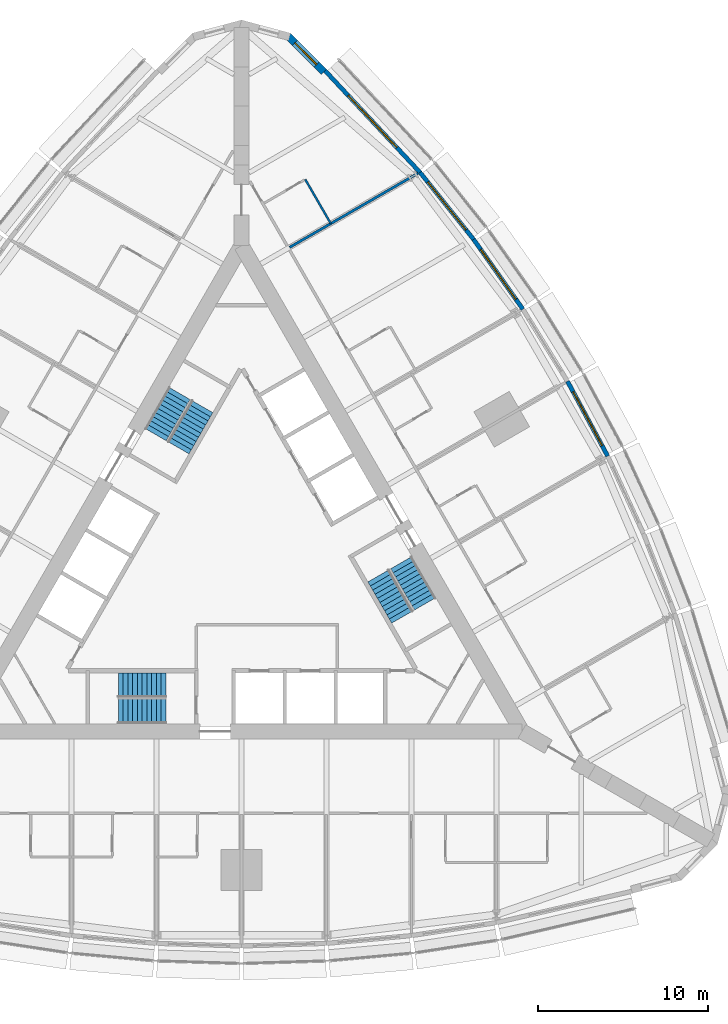
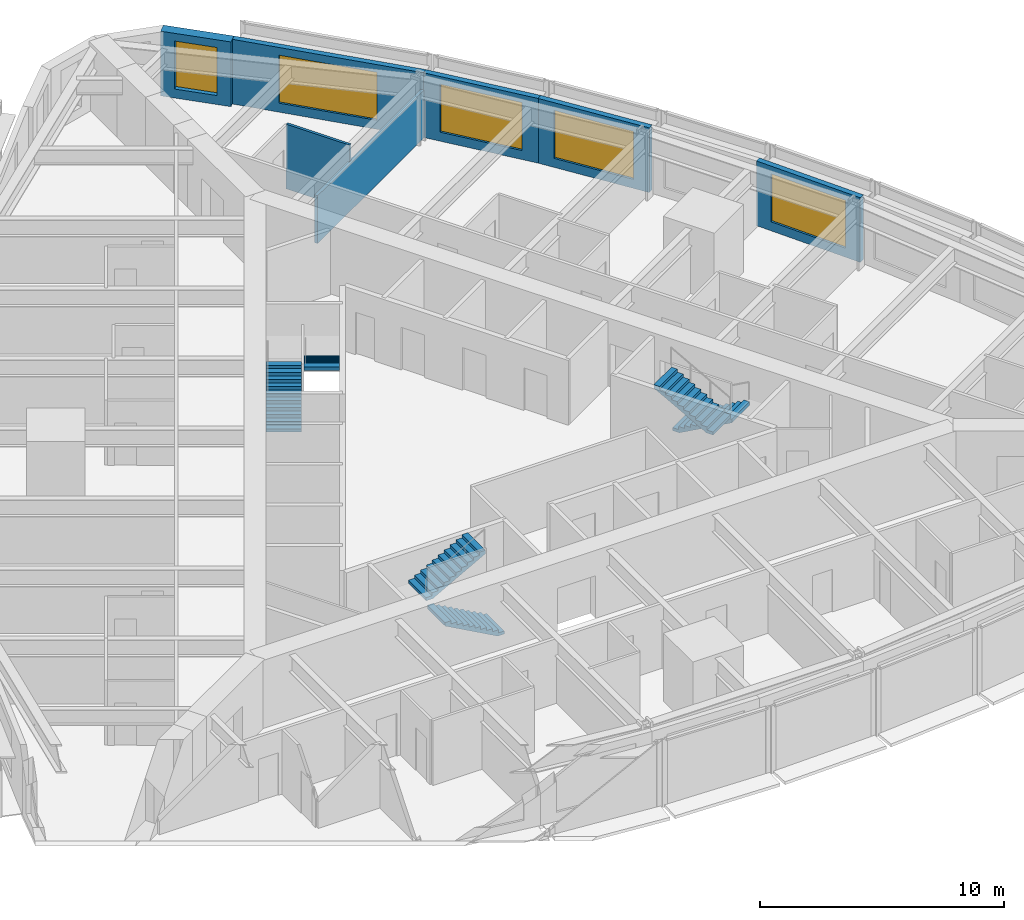
# One storey, part 13 of 14: 7 walls, 6 stair flights, 5 windows, 5 openings, 3 elements without a shape of their own.
"""IFC4 building model written with IfcOpenShell, lengths in metres."""

from ifc_helpers import new_model, si_unit, direction, frame, frame_2d, origin, place, context, subcontext, project, spatial, polyline, rectangle, outline, extrude, material, layer, layer_set, type_object, element, fill, aggregate, save


model = new_model("IFC4")

# Units and contexts
model_context = context("Model", 3, precision=1e-05, world=origin(), true_north=direction((0.0, 1.0)))
body_context = subcontext(model_context, "Body", "Model", "MODEL_VIEW")
ifc_project = project(units=[si_unit("LENGTHUNIT", "METRE"), si_unit("AREAUNIT", "SQUARE_METRE"), si_unit("VOLUMEUNIT", "CUBIC_METRE"), si_unit("PLANEANGLEUNIT", "RADIAN"), si_unit("MASSUNIT", "GRAM", prefix="KILO")], contexts=[model_context])

# Site, building, storey
site_placement = place(None, origin())
site = spatial("IfcSite", under=ifc_project, at=site_placement, CompositionType="ELEMENT")
building_placement = place(site_placement, origin())
building = spatial("IfcBuilding", under=site, at=building_placement, Name="Trikona Tower", CompositionType="ELEMENT")
storey_placement = place(building_placement, frame((0.0, 0.0, 59.10009765625)))
storey = spatial("IfcBuildingStorey", under=building, at=storey_placement, Name="L14", CompositionType="ELEMENT", Elevation=59.10009765625)

# Wall
ifc_material_1 = material(Name="Metal stud and cement board", Category="gypsum")
ifc_layer_1 = layer(ifc_material_1, 0.1201171875)
ifc_layer_set_1 = layer_set([ifc_layer_1], Name="Bathroom wall 120")
wall_type_1 = type_object("IfcWallType", Name="Bathroom wall 120", PredefinedType="PLUMBINGWALL", material=ifc_layer_set_1)
wall_1_placement = place(storey_placement, frame((5.25341796875, 20.353515625, 0.0), z_axis=(0.0, 0.0, 1.0), x_axis=(-0.499990139034, 0.866031096941, 0.0)))
element("IfcWall", 1, at=wall_1_placement, inside=storey, type_object=wall_type_1, Name="Bathroom wall 1412", PredefinedType="PLUMBINGWALL", context=body_context, shape_type="SweptSolid", body=[
    extrude(rectangle(XDim=3.0, YDim=0.1201171875, at=frame_2d((1.5, 0.0))), origin(), (0.0, 0.0, 1.0), 3.23486328125),
])

# Wall, opening, window
ifc_material_2 = material(Name="Brick-faced precast concrete", Category="masonry")
ifc_layer_2 = layer(ifc_material_2, 0.449951171875)
ifc_layer_set_2 = layer_set([ifc_layer_2], Name="Brick-faced corner wall 450")
wall_type_2 = type_object("IfcWallType", Name="Brick-faced corner wall 450", PredefinedType="SOLIDWALL", material=ifc_layer_set_2)
wall_2_placement = place(storey_placement, frame((4.8408203125, 29.285888671875, 0.0), z_axis=(0.0, 0.0, 1.0), x_axis=(-0.707106781187, 0.707106781187, 0.0)))
wall_2 = element("IfcWall", 2, at=wall_2_placement, inside=storey, type_object=wall_type_2, Name="External wall L14-20", PredefinedType="SOLIDWALL", context=body_context, shape_type="SweptSolid", body=[
    extrude(rectangle(XDim=2.98828125, YDim=0.449951171875, at=frame_2d((1.494140625, 0.0))), origin(), (0.0, 0.0, 1.0), 3.23486328125),
])
opening_1_placement = place(wall_2_placement, frame((0.59423828125, 0.0, 0.449951171875)))
opening_1 = element("IfcOpeningElement", 3, at=opening_1_placement, cuts=wall_2, Name="Opening W1824", PredefinedType="OPENING", context=body_context, shape_type="SweptSolid", body=[
    extrude(rectangle(XDim=1.800048828125, YDim=2.39990234375, at=frame_2d((0.89990234375, 1.199951171875))), frame((0.0, 0.23486328125, 0.0), z_axis=(0.0, -1.0, 0.0), x_axis=(1.0, 0.0, 0.0)), (0.0, 0.0, 1.0), 0.469970703125),
])
ifc_material_3 = material(Name="Aluminium-framed double glazing", Category="aluminium")
window_type_1 = type_object("IfcWindowType", Name="Window 1800x2400", PartitioningType="SINGLE_PANEL", PredefinedType="WINDOW", material=ifc_material_3)
window_1_placement = place(opening_1_placement, origin())
window_1 = element("IfcWindow", 4, at=window_1_placement, inside=storey, type_object=window_type_1, Name="Window 1412", OverallHeight=2.39990234375, OverallWidth=1.800048828125, PartitioningType="SINGLE_PANEL", PredefinedType="WINDOW", context=body_context, shape_type="SweptSolid", body=[
    extrude(rectangle(XDim=1.800048828125, YDim=2.39990234375, at=frame_2d((0.89990234375, 1.199951171875))), frame((0.0, 0.030029296875, 0.0), z_axis=(0.0, -1.0, 0.0), x_axis=(1.0, 0.0, 0.0)), (0.0, 0.0, 1.0), 0.06005859375),
])
fill(opening_1, window_1)

ifc_material_4 = material(Name="Insulated precast concrete spandrel panel", Category="concrete")
ifc_layer_3 = layer(ifc_material_4, 0.25)
ifc_layer_set_3 = layer_set([ifc_layer_3], Name="Inner skin wall 250")
wall_type_3 = type_object("IfcWallType", Name="Inner skin wall 250", PredefinedType="STANDARD", material=ifc_layer_set_3)
wall_3_placement = place(storey_placement, frame((21.546630859375, 6.6708984375, 0.0), z_axis=(0.0, 0.0, 1.0), x_axis=(-0.473412820489, 0.880840678782, 0.0)))
wall_3 = element("IfcWall", 5, at=wall_3_placement, inside=storey, type_object=wall_type_3, Name="External wall L14-15", PredefinedType="STANDARD", context=body_context, shape_type="SweptSolid", body=[
    extrude(rectangle(XDim=5.00244140625, YDim=0.25, at=frame_2d((2.501220703125, 0.0))), origin(), (0.0, 0.0, 1.0), 3.23486328125),
])
opening_2_placement = place(wall_3_placement, frame((0.701171875, 0.0, 0.449951171875)))
opening_2 = element("IfcOpeningElement", 6, at=opening_2_placement, cuts=wall_3, Name="Opening W3624", PredefinedType="OPENING", context=body_context, shape_type="SweptSolid", body=[
    extrude(rectangle(XDim=3.60009765625, YDim=2.39990234375, at=frame_2d((1.800048828125, 1.199951171875))), frame((0.0, 0.135009765625, 0.0), z_axis=(0.0, -1.0, 0.0), x_axis=(1.0, 0.0, 0.0)), (0.0, 0.0, 1.0), 0.27001953125),
])
ifc_material_5 = material(Name="Aluminium-framed double glazing", Category="aluminium")
window_type_2 = type_object("IfcWindowType", Name="Window 3600x2400", PartitioningType="SINGLE_PANEL", PredefinedType="WINDOW", material=ifc_material_5)
window_2_placement = place(opening_2_placement, origin())
window_2 = element("IfcWindow", 7, at=window_2_placement, inside=storey, type_object=window_type_2, Name="Window 1409", OverallHeight=2.39990234375, OverallWidth=3.60009765625, PartitioningType="SINGLE_PANEL", PredefinedType="WINDOW", context=body_context, shape_type="SweptSolid", body=[
    extrude(rectangle(XDim=3.60009765625, YDim=2.39990234375, at=frame_2d((1.800048828125, 1.199951171875))), frame((0.0, 0.030029296875, 0.0), z_axis=(0.0, -1.0, 0.0), x_axis=(1.0, 0.0, 0.0)), (0.0, 0.0, 1.0), 0.06005859375),
])
fill(opening_2, window_2)

wall_4_placement = place(storey_placement, frame((16.5546875, 15.318115234375, 0.0), z_axis=(0.0, 0.0, 1.0), x_axis=(-0.5766431066, 0.81699616132, 0.0)))
wall_4 = element("IfcWall", 8, at=wall_4_placement, inside=storey, type_object=wall_type_3, Name="External wall L14-17", PredefinedType="STANDARD", context=body_context, shape_type="SweptSolid", body=[
    extrude(rectangle(XDim=5.02099609375, YDim=0.25, at=frame_2d((2.510498046875, 0.0))), origin(), (0.0, 0.0, 1.0), 3.23486328125),
])
opening_3_placement = place(wall_4_placement, frame((0.71044921875, 0.0, 0.449951171875)))
opening_3 = element("IfcOpeningElement", 9, at=opening_3_placement, cuts=wall_4, Name="Opening W3624", PredefinedType="OPENING", context=body_context, shape_type="SweptSolid", body=[
    extrude(rectangle(XDim=3.60009765625, YDim=2.39990234375, at=frame_2d((1.800048828125, 1.199951171875))), frame((0.0, 0.135009765625, 0.0), z_axis=(0.0, -1.0, 0.0), x_axis=(1.0, 0.0, 0.0)), (0.0, 0.0, 1.0), 0.27001953125),
])
window_3_placement = place(opening_3_placement, origin())
window_3 = element("IfcWindow", 10, at=window_3_placement, inside=storey, type_object=window_type_2, Name="Window 1411", OverallHeight=2.39990234375, OverallWidth=3.60009765625, PartitioningType="SINGLE_PANEL", PredefinedType="WINDOW", context=body_context, shape_type="SweptSolid", body=[
    extrude(rectangle(XDim=3.60009765625, YDim=2.39990234375, at=frame_2d((1.800048828125, 1.199951171875))), frame((0.0, 0.030029296875, 0.0), z_axis=(0.0, -1.0, 0.0), x_axis=(1.0, 0.0, 0.0)), (0.0, 0.0, 1.0), 0.06005859375),
])
fill(opening_3, window_3)

wall_5_placement = place(storey_placement, frame((13.663818359375, 19.4140625, 0.0), z_axis=(0.0, 0.0, 1.0), x_axis=(-0.624594965756, 0.780948864364, 0.0)))
wall_5 = element("IfcWall", 11, at=wall_5_placement, inside=storey, type_object=wall_type_3, Name="External wall L14-18", PredefinedType="STANDARD", context=body_context, shape_type="SweptSolid", body=[
    extrude(rectangle(XDim=5.0576171875, YDim=0.25, at=frame_2d((2.52880859375, 0.0))), origin(), (0.0, 0.0, 1.0), 3.23486328125),
])
opening_4_placement = place(wall_5_placement, frame((0.728759765625, 0.0, 0.449951171875)))
opening_4 = element("IfcOpeningElement", 12, at=opening_4_placement, cuts=wall_5, Name="Opening W3624", PredefinedType="OPENING", context=body_context, shape_type="SweptSolid", body=[
    extrude(rectangle(XDim=3.60009765625, YDim=2.39990234375, at=frame_2d((1.800048828125, 1.199951171875))), frame((0.0, 0.135009765625, 0.0), z_axis=(0.0, -1.0, 0.0), x_axis=(1.0, 0.0, 0.0)), (0.0, 0.0, 1.0), 0.27001953125),
])
window_4_placement = place(opening_4_placement, origin())
window_4 = element("IfcWindow", 13, at=window_4_placement, inside=storey, type_object=window_type_2, Name="Window 1411", OverallHeight=2.39990234375, OverallWidth=3.60009765625, PartitioningType="SINGLE_PANEL", PredefinedType="WINDOW", context=body_context, shape_type="SweptSolid", body=[
    extrude(rectangle(XDim=3.60009765625, YDim=2.39990234375, at=frame_2d((1.800048828125, 1.199951171875))), frame((0.0, 0.030029296875, 0.0), z_axis=(0.0, -1.0, 0.0), x_axis=(1.0, 0.0, 0.0)), (0.0, 0.0, 1.0), 0.06005859375),
])
fill(opening_4, window_4)

wall_6_placement = place(storey_placement, frame((10.510986328125, 23.356689453125, 0.0), z_axis=(0.0, 0.0, 1.0), x_axis=(-0.682289646561, 0.731081964075, 0.0)))
wall_6 = element("IfcWall", 14, at=wall_6_placement, inside=storey, type_object=wall_type_3, Name="External wall L14-19", PredefinedType="STANDARD", context=body_context, shape_type="SweptSolid", body=[
    extrude(rectangle(XDim=8.2109375, YDim=0.25, at=frame_2d((4.10546875, 0.0))), origin(), (0.0, 0.0, 1.0), 3.23486328125),
])
opening_5_placement = place(wall_6_placement, frame((2.005615234375, 0.0, 0.449951171875)))
opening_5 = element("IfcOpeningElement", 15, at=opening_5_placement, cuts=wall_6, Name="Opening W4224", PredefinedType="OPENING", context=body_context, shape_type="SweptSolid", body=[
    extrude(rectangle(XDim=4.199951171875, YDim=2.39990234375, at=frame_2d((2.10009765625, 1.199951171875))), frame((0.0, 0.135009765625, 0.0), z_axis=(0.0, -1.0, 0.0), x_axis=(1.0, 0.0, 0.0)), (0.0, 0.0, 1.0), 0.27001953125),
])
ifc_material_6 = material(Name="Aluminium-framed double glazing", Category="aluminium")
window_type_3 = type_object("IfcWindowType", Name="Window 4200x2400", PartitioningType="SINGLE_PANEL", PredefinedType="WINDOW", material=ifc_material_6)
window_5_placement = place(opening_5_placement, origin())
window_5 = element("IfcWindow", 16, at=window_5_placement, inside=storey, type_object=window_type_3, Name="Window 1412", OverallHeight=2.39990234375, OverallWidth=4.199951171875, PartitioningType="SINGLE_PANEL", PredefinedType="WINDOW", context=body_context, shape_type="SweptSolid", body=[
    extrude(rectangle(XDim=4.199951171875, YDim=2.39990234375, at=frame_2d((2.10009765625, 1.199951171875))), frame((0.0, 0.030029296875, 0.0), z_axis=(0.0, -1.0, 0.0), x_axis=(1.0, 0.0, 0.0)), (0.0, 0.0, 1.0), 0.06005859375),
])
fill(opening_5, window_5)

# Wall
ifc_material_7 = material(Name="Metal stud and gypsum board, 1-hour acoustic", Category="gypsum")
ifc_layer_4 = layer(ifc_material_7, 0.14990234375)
ifc_layer_set_4 = layer_set([ifc_layer_4], Name="Party wall 150")
wall_type_4 = type_object("IfcWallType", Name="Party wall 150", PredefinedType="PARTITIONING", material=ifc_layer_set_4)
wall_7_placement = place(storey_placement, frame((2.82861328125, 18.95361328125, 0.0), z_axis=(0.0, 0.0, 1.0), x_axis=(0.866020536561, 0.500008430184, 0.0)))
element("IfcWall", 17, at=wall_7_placement, inside=storey, type_object=wall_type_4, Name="Partition L14 F2 u15", PredefinedType="PARTITIONING", context=body_context, shape_type="SweptSolid", body=[
    extrude(rectangle(XDim=8.719970703125, YDim=0.14990234375, at=frame_2d((4.35986328125, 0.0))), origin(), (0.0, 0.0, 1.0), 2.38916015625),
])

# Stair, stair flights
ifc_material_8 = material(Name="Concrete f'c 5000 psi", Category="concrete")
stair_type = type_object("IfcStairType", Name="Core stair", PredefinedType="HALF_TURN_STAIR", material=ifc_material_8)
stair_1_placement = place(storey_placement, origin())
stair_1 = element("IfcStair", 18, at=stair_1_placement, inside=storey, type_object=stair_type, Name="Stair A L14", PredefinedType="HALF_TURN_STAIR")
ifc_material_9 = material(Name="Concrete f'c 5000 psi", Category="concrete")
stair_flight_type = type_object("IfcStairFlightType", Name="Core stair flight 1450", PredefinedType="STRAIGHT", material=ifc_material_9)
stair_flight_1_placement = place(storey_placement, frame((-4.449951171875, -8.351318359375, 0.0), z_axis=(0.0, 0.0, 1.0), x_axis=(-1.0, 0.0, 0.0)))
stair_flight_1 = element("IfcStairFlight", 19, at=stair_flight_1_placement, type_object=stair_flight_type, Name="ST-A flight 1", NumberOfRisers=11, NumberOfTreads=10, PredefinedType="STRAIGHT", RiserHeight=0.154545, TreadLength=0.28, context=body_context, shape_type="SweptSolid", body=[
    extrude(outline(polyline([(0.0, 0.0), (0.0, 0.154541015625), (0.280029296875, 0.154541015625), (0.280029296875, 0.30908203125), (0.56005859375, 0.30908203125), (0.56005859375, 0.463623046875), (0.840087890625, 0.463623046875), (0.840087890625, 0.6181640625), (1.1201171875, 0.6181640625), (1.1201171875, 0.772705078125), (1.39990234375, 0.772705078125), (1.39990234375, 0.92724609375), (1.679931640625, 0.92724609375), (1.679931640625, 1.081787109375), (1.9599609375, 1.081787109375), (1.9599609375, 1.236328125), (2.239990234375, 1.236328125), (2.239990234375, 1.390869140625), (2.52001953125, 1.390869140625), (2.52001953125, 1.54541015625), (2.800048828125, 1.54541015625), (2.800048828125, 1.699951171875), (2.800048828125, 1.374267578125), (0.310302734375, 0.0), (0.0, 0.0)])), frame((0.0, 0.72509765625, 0.0), z_axis=(0.0, -1.0, 0.0), x_axis=(1.0, 0.0, 0.0)), (0.0, 0.0, 1.0), 1.449951171875),
])
stair_flight_2_placement = place(storey_placement, frame((-7.25, -6.80126953125, 1.699951171875), z_axis=(0.0, 0.0, 1.0), x_axis=(1.0, 0.0, 0.0)))
stair_flight_2 = element("IfcStairFlight", 20, at=stair_flight_2_placement, type_object=stair_flight_type, Name="ST-A flight 2", NumberOfRisers=11, NumberOfTreads=10, PredefinedType="STRAIGHT", RiserHeight=0.154545, TreadLength=0.28, context=body_context, shape_type="SweptSolid", body=[
    extrude(outline(polyline([(0.0, 0.0), (0.0, 0.154541015625), (0.280029296875, 0.154541015625), (0.280029296875, 0.30908203125), (0.56005859375, 0.30908203125), (0.56005859375, 0.463623046875), (0.840087890625, 0.463623046875), (0.840087890625, 0.6181640625), (1.1201171875, 0.6181640625), (1.1201171875, 0.772705078125), (1.39990234375, 0.772705078125), (1.39990234375, 0.92724609375), (1.679931640625, 0.92724609375), (1.679931640625, 1.081787109375), (1.9599609375, 1.081787109375), (1.9599609375, 1.236328125), (2.239990234375, 1.236328125), (2.239990234375, 1.390869140625), (2.52001953125, 1.390869140625), (2.52001953125, 1.54541015625), (2.800048828125, 1.54541015625), (2.800048828125, 1.699951171875), (2.800048828125, 1.374267578125), (0.310302734375, 0.0), (0.0, 0.0)])), frame((0.0, 0.72509765625, 0.0), z_axis=(0.0, -1.0, 0.0), x_axis=(1.0, 0.0, 0.0)), (0.0, 0.0, 1.0), 1.449951171875),
])
aggregate(stair_1, [stair_flight_1, stair_flight_2])

stair_2_placement = place(storey_placement, origin())
stair_2 = element("IfcStair", 21, at=stair_2_placement, inside=storey, type_object=stair_type, Name="Stair B L14", PredefinedType="HALF_TURN_STAIR")
stair_flight_3_placement = place(storey_placement, frame((9.407470703125, 0.408447265625, 0.0), z_axis=(0.0, 0.0, 1.0), x_axis=(0.5, -0.866025403784, 0.0)))
stair_flight_3 = element("IfcStairFlight", 22, at=stair_flight_3_placement, type_object=stair_flight_type, Name="ST-B flight 1", NumberOfRisers=11, NumberOfTreads=10, PredefinedType="STRAIGHT", RiserHeight=0.154545, TreadLength=0.28, context=body_context, shape_type="SweptSolid", body=[
    extrude(outline(polyline([(0.0, 0.0), (0.0, 0.154541015625), (0.280029296875, 0.154541015625), (0.280029296875, 0.30908203125), (0.56005859375, 0.30908203125), (0.56005859375, 0.463623046875), (0.840087890625, 0.463623046875), (0.840087890625, 0.6181640625), (1.1201171875, 0.6181640625), (1.1201171875, 0.772705078125), (1.39990234375, 0.772705078125), (1.39990234375, 0.92724609375), (1.679931640625, 0.92724609375), (1.679931640625, 1.081787109375), (1.9599609375, 1.081787109375), (1.9599609375, 1.236328125), (2.239990234375, 1.236328125), (2.239990234375, 1.390869140625), (2.52001953125, 1.390869140625), (2.52001953125, 1.54541015625), (2.800048828125, 1.54541015625), (2.800048828125, 1.699951171875), (2.800048828125, 1.374267578125), (0.310302734375, 0.0), (0.0, 0.0)])), frame((0.0, 0.72509765625, 0.0), z_axis=(0.0, -1.0, 0.0), x_axis=(1.0, 0.0, 0.0)), (0.0, 0.0, 1.0), 1.449951171875),
])
stair_flight_4_placement = place(storey_placement, frame((9.465087890625, -2.79150390625, 1.699951171875), z_axis=(0.0, 0.0, 1.0), x_axis=(-0.5, 0.866025403784, 0.0)))
stair_flight_4 = element("IfcStairFlight", 23, at=stair_flight_4_placement, type_object=stair_flight_type, Name="ST-B flight 2", NumberOfRisers=11, NumberOfTreads=10, PredefinedType="STRAIGHT", RiserHeight=0.154545, TreadLength=0.28, context=body_context, shape_type="SweptSolid", body=[
    extrude(outline(polyline([(0.0, 0.0), (0.0, 0.154541015625), (0.280029296875, 0.154541015625), (0.280029296875, 0.30908203125), (0.56005859375, 0.30908203125), (0.56005859375, 0.463623046875), (0.840087890625, 0.463623046875), (0.840087890625, 0.6181640625), (1.1201171875, 0.6181640625), (1.1201171875, 0.772705078125), (1.39990234375, 0.772705078125), (1.39990234375, 0.92724609375), (1.679931640625, 0.92724609375), (1.679931640625, 1.081787109375), (1.9599609375, 1.081787109375), (1.9599609375, 1.236328125), (2.239990234375, 1.236328125), (2.239990234375, 1.390869140625), (2.52001953125, 1.390869140625), (2.52001953125, 1.54541015625), (2.800048828125, 1.54541015625), (2.800048828125, 1.699951171875), (2.800048828125, 1.374267578125), (0.310302734375, 0.0), (0.0, 0.0)])), frame((0.0, 0.72509765625, 0.0), z_axis=(0.0, -1.0, 0.0), x_axis=(1.0, 0.0, 0.0)), (0.0, 0.0, 1.0), 1.449951171875),
])
aggregate(stair_2, [stair_flight_3, stair_flight_4])

stair_3_placement = place(storey_placement, origin())
stair_3 = element("IfcStair", 24, at=stair_3_placement, inside=storey, type_object=stair_type, Name="Stair C L14", PredefinedType="HALF_TURN_STAIR")
stair_flight_5_placement = place(storey_placement, frame((-5.057373046875, 7.94287109375, 0.0), z_axis=(0.0, 0.0, 1.0), x_axis=(0.5, 0.866025403784, 0.0)))
stair_flight_5 = element("IfcStairFlight", 25, at=stair_flight_5_placement, type_object=stair_flight_type, Name="ST-C flight 1", NumberOfRisers=11, NumberOfTreads=10, PredefinedType="STRAIGHT", RiserHeight=0.154545, TreadLength=0.28, context=body_context, shape_type="SweptSolid", body=[
    extrude(outline(polyline([(0.0, 0.0), (0.0, 0.154541015625), (0.280029296875, 0.154541015625), (0.280029296875, 0.30908203125), (0.56005859375, 0.30908203125), (0.56005859375, 0.463623046875), (0.840087890625, 0.463623046875), (0.840087890625, 0.6181640625), (1.1201171875, 0.6181640625), (1.1201171875, 0.772705078125), (1.39990234375, 0.772705078125), (1.39990234375, 0.92724609375), (1.679931640625, 0.92724609375), (1.679931640625, 1.081787109375), (1.9599609375, 1.081787109375), (1.9599609375, 1.236328125), (2.239990234375, 1.236328125), (2.239990234375, 1.390869140625), (2.52001953125, 1.390869140625), (2.52001953125, 1.54541015625), (2.800048828125, 1.54541015625), (2.800048828125, 1.699951171875), (2.800048828125, 1.374267578125), (0.310302734375, 0.0), (0.0, 0.0)])), frame((0.0, 0.72509765625, 0.0), z_axis=(0.0, -1.0, 0.0), x_axis=(1.0, 0.0, 0.0)), (0.0, 0.0, 1.0), 1.449951171875),
])
stair_flight_6_placement = place(storey_placement, frame((-2.315185546875, 9.5927734375, 1.699951171875), z_axis=(0.0, 0.0, 1.0), x_axis=(-0.5, -0.866025403784, 0.0)))
stair_flight_6 = element("IfcStairFlight", 26, at=stair_flight_6_placement, type_object=stair_flight_type, Name="ST-C flight 2", NumberOfRisers=11, NumberOfTreads=10, PredefinedType="STRAIGHT", RiserHeight=0.154545, TreadLength=0.28, context=body_context, shape_type="SweptSolid", body=[
    extrude(outline(polyline([(0.0, 0.0), (0.0, 0.154541015625), (0.280029296875, 0.154541015625), (0.280029296875, 0.30908203125), (0.56005859375, 0.30908203125), (0.56005859375, 0.463623046875), (0.840087890625, 0.463623046875), (0.840087890625, 0.6181640625), (1.1201171875, 0.6181640625), (1.1201171875, 0.772705078125), (1.39990234375, 0.772705078125), (1.39990234375, 0.92724609375), (1.679931640625, 0.92724609375), (1.679931640625, 1.081787109375), (1.9599609375, 1.081787109375), (1.9599609375, 1.236328125), (2.239990234375, 1.236328125), (2.239990234375, 1.390869140625), (2.52001953125, 1.390869140625), (2.52001953125, 1.54541015625), (2.800048828125, 1.54541015625), (2.800048828125, 1.699951171875), (2.800048828125, 1.374267578125), (0.310302734375, 0.0), (0.0, 0.0)])), frame((0.0, 0.72509765625, 0.0), z_axis=(0.0, -1.0, 0.0), x_axis=(1.0, 0.0, 0.0)), (0.0, 0.0, 1.0), 1.449951171875),
])
aggregate(stair_3, [stair_flight_5, stair_flight_6])

save(model, "model.ifc")
